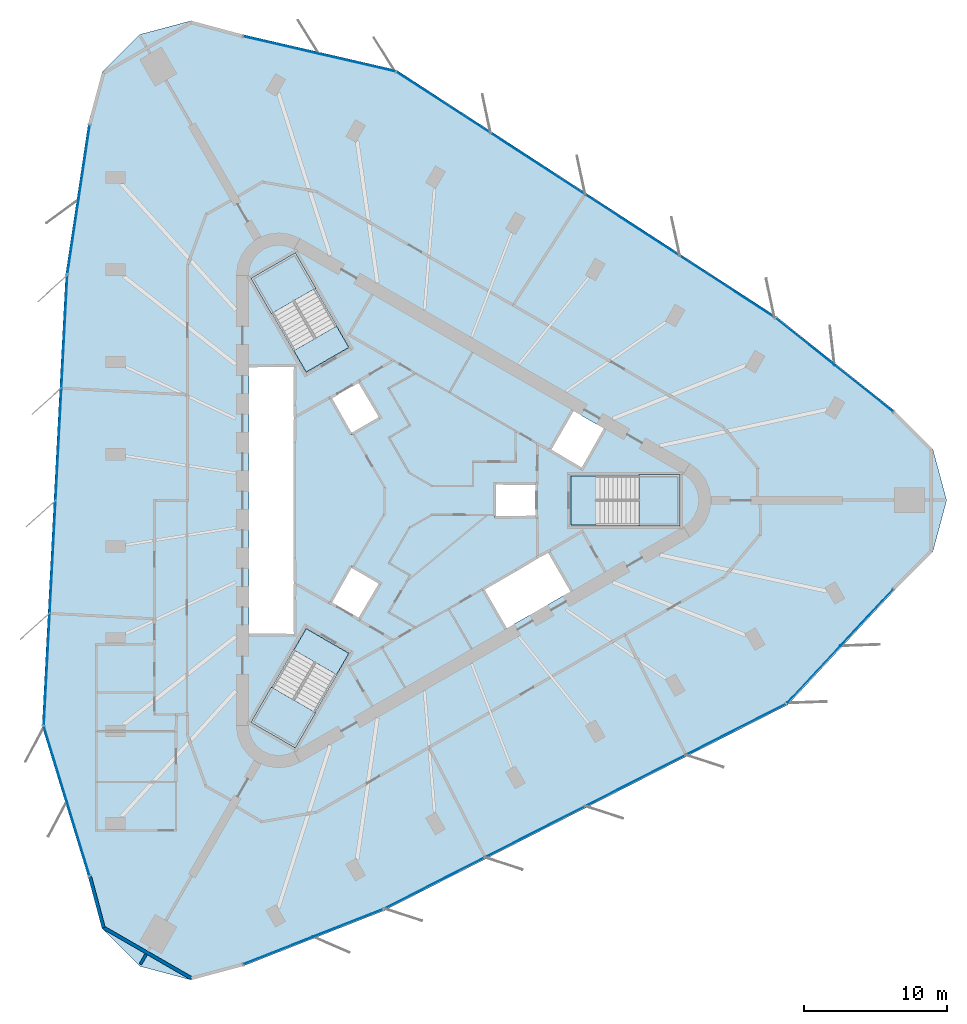
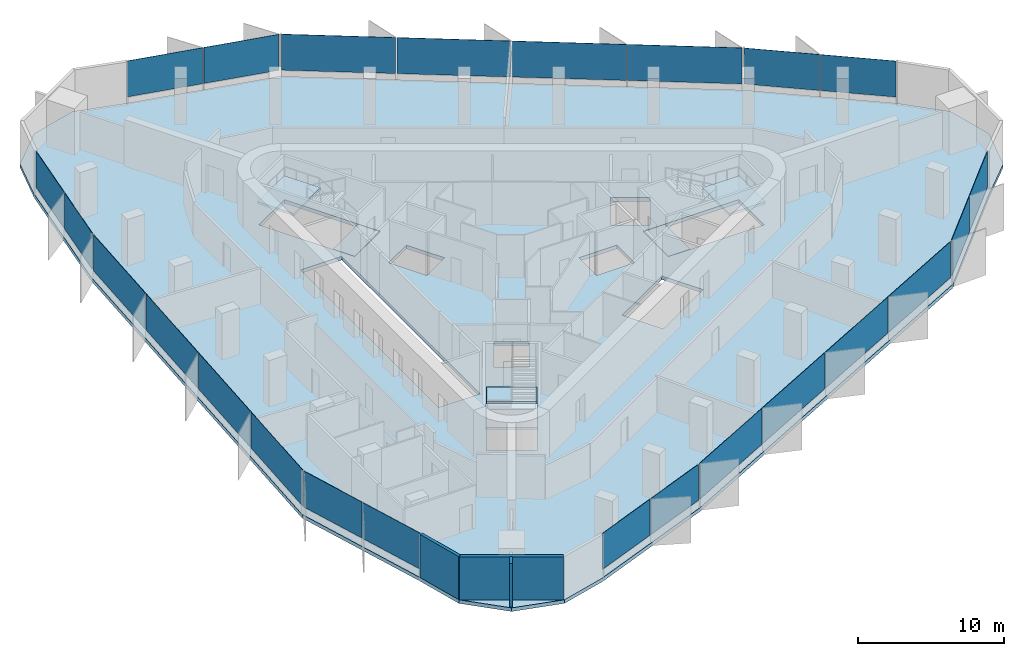
# One storey, part 7 of 13: 24 plates, 7 slabs, 3 walls, 12 elements without a shape of their own.
"""IFC4 building model written with IfcOpenShell, lengths in metres."""

from ifc_helpers import new_model, si_unit, direction, frame, frame_2d, origin, origin_2d, place, context, subcontext, project, spatial, polyline, rectangle, outline, extrude, material, layer, layer_set, type_object, element, aggregate, save


model = new_model("IFC4")

# Units and contexts
model_context = context("Model", 3, precision=1e-05, world=origin(), true_north=direction((0.0, 1.0)))
body_context = subcontext(model_context, "Body", "Model", "MODEL_VIEW")
ifc_project = project(units=[si_unit("LENGTHUNIT", "METRE"), si_unit("AREAUNIT", "SQUARE_METRE"), si_unit("VOLUMEUNIT", "CUBIC_METRE"), si_unit("PLANEANGLEUNIT", "RADIAN"), si_unit("MASSUNIT", "GRAM", prefix="KILO")], contexts=[model_context])

# Site, building, storey
site_placement = place(None, origin())
site = spatial("IfcSite", under=ifc_project, at=site_placement, CompositionType="ELEMENT")
building_placement = place(site_placement, origin())
building = spatial("IfcBuilding", under=site, at=building_placement, Name="Tanit Gate Tower", CompositionType="ELEMENT")
storey_placement = place(building_placement, frame((0.0, 0.0, 318.199951171875)))
storey = spatial("IfcBuildingStorey", under=building, at=storey_placement, Name="L71", CompositionType="ELEMENT", Elevation=318.199951171875)

# Slab
ifc_material_1 = material(Name="Concrete C35/45", Category="concrete")
ifc_layer_1 = layer(ifc_material_1, 0.300048828125)
ifc_layer_set_1 = layer_set([ifc_layer_1], Name="FLOOR SLAB 300 C35/45")
slab_type_1 = type_object("IfcSlabType", Name="FLOOR SLAB 300 C35/45", PredefinedType="FLOOR", material=ifc_layer_set_1)
slab_1_placement = place(storey_placement, frame((0.0, 0.0, -0.300048828125)))
element("IfcSlab", 1, at=slab_1_placement, inside=storey, type_object=slab_type_1, Name="FLOOR SLAB L71", PredefinedType="FLOOR", context=body_context, shape_type="SweptSolid", body=[
    extrude(outline(polyline([(34.07470703125, 6.24951171875), (36.716064453125, 3.608154296875), (37.682861328125, 0.0), (36.716064453125, -3.608154296875), (34.07470703125, -6.24951171875), (26.550048828125, -14.32421875), (-1.6943359375, -28.727294921875), (-11.625244140625, -32.63427734375), (-15.2333984375, -33.60107421875), (-18.84130859375, -32.63427734375), (-21.48291015625, -29.992919921875), (-22.44970703125, -26.385009765625), (-25.68017578125, -15.830810546875), (-24.031494140625, 15.830810546875), (-22.44970703125, 26.385009765625), (-21.48291015625, 29.992919921875), (-18.84130859375, 32.63427734375), (-15.2333984375, 33.60107421875), (-11.625244140625, 32.63427734375), (-0.869873046875, 30.1552734375), (25.7255859375, 12.896484375), (34.07470703125, 6.24951171875)]), holes=[polyline([(11.3701171875, 1.72998046875), (18.929931640625, 1.72998046875), (18.929931640625, -1.72998046875), (11.3701171875, -1.72998046875), (11.3701171875, 1.72998046875)]), polyline([(12.158935546875, 2.159912109375), (9.82080078125, 3.510009765625), (11.44580078125, 6.324462890625), (13.783935546875, 4.974609375), (12.158935546875, 2.159912109375)]), polyline([(11.44580078125, -6.324462890625), (6.76904296875, -9.0244140625), (5.14404296875, -6.2099609375), (9.82080078125, -3.510009765625), (11.44580078125, -6.324462890625)]), polyline([(6.0, 1.199951171875), (9.0, 1.199951171875), (9.0, -1.199951171875), (6.0, -1.199951171875), (6.0, 1.199951171875)]), polyline([(-4.039306640625, 4.59619140625), (-5.539306640625, 7.194091796875), (-3.460693359375, 8.394287109375), (-1.960693359375, 5.796142578125), (-4.039306640625, 4.59619140625)]), polyline([(-1.960693359375, -5.796142578125), (-3.460693359375, -8.394287109375), (-5.539306640625, -7.194091796875), (-4.039306640625, -4.59619140625), (-1.960693359375, -5.796142578125)]), polyline([(-7.18310546875, 8.981689453125), (-10.963134765625, 15.52880859375), (-7.966796875, 17.2587890625), (-4.186767578125, 10.711669921875), (-7.18310546875, 8.981689453125)]), polyline([(-4.186767578125, -10.711669921875), (-7.966796875, -17.2587890625), (-10.963134765625, -15.52880859375), (-7.18310546875, -8.981689453125), (-4.186767578125, -10.711669921875)]), polyline([(-11.199951171875, -9.449951171875), (-11.199951171875, 9.449951171875), (-7.949951171875, 9.449951171875), (-7.949951171875, -9.449951171875), (-11.199951171875, -9.449951171875)])]), origin(), (0.0, 0.0, 1.0), 0.300048828125),
])

# Curtain wall, plates
ifc_material_2 = material(Name="Aluminium bronze anodised and glass", Category="aluminium")
curtain_wall_type = type_object("IfcCurtainWallType", Name="Curtain wall typical high", PredefinedType="NOTDEFINED", material=ifc_material_2)
curtain_wall_1_placement = place(storey_placement, origin())
curtain_wall_1 = element("IfcCurtainWall", 2, at=curtain_wall_1_placement, inside=storey, type_object=curtain_wall_type, Name="Curtain wall L71 NE1", PredefinedType="NOTDEFINED")
ifc_material_3 = material(Name="Glass tinted", Category="glass")
ifc_layer_2 = layer(ifc_material_3, 0.028076171875)
ifc_layer_set_2 = layer_set([ifc_layer_2], Name="Glass panel 28 typical high")
plate_type = type_object("IfcPlateType", Name="Glass panel 28 typical high", PredefinedType="CURTAIN_PANEL", material=ifc_layer_set_2)
plate_1_placement = place(storey_placement, frame((31.894287109375, 7.83203125, 0.60009765625), z_axis=(0.0, 0.0, 1.0), x_axis=(-0.782343945966, 0.622846650637, 0.0)))
plate_1 = element("IfcPlate", 3, at=plate_1_placement, type_object=plate_type, Name="Glass panel L71 NE1.1", PredefinedType="CURTAIN_PANEL", context=body_context, shape_type="SweptSolid", body=[
    extrude(rectangle(XDim=5.209716796875, YDim=0.028076171875, at=origin_2d()), origin(), (0.0, 0.0, 1.0), 3.0),
])
plate_2_placement = place(storey_placement, frame((27.755859375, 11.126708984375, 0.60009765625), z_axis=(0.0, 0.0, 1.0), x_axis=(-0.782343945966, 0.622846650637, 0.0)))
plate_2 = element("IfcPlate", 4, at=plate_2_placement, type_object=plate_type, Name="Glass panel L71 NE1.2", PredefinedType="CURTAIN_PANEL", context=body_context, shape_type="SweptSolid", body=[
    extrude(rectangle(XDim=5.209716796875, YDim=0.028076171875, at=origin_2d()), origin(), (0.0, 0.0, 1.0), 3.0),
])
aggregate(curtain_wall_1, [plate_1, plate_2])

curtain_wall_2_placement = place(storey_placement, origin())
curtain_wall_2 = element("IfcCurtainWall", 5, at=curtain_wall_2_placement, inside=storey, type_object=curtain_wall_type, Name="Curtain wall L71 NE2", PredefinedType="NOTDEFINED")
plate_3_placement = place(storey_placement, frame((22.30859375, 14.970703125, 0.60009765625), z_axis=(0.0, 0.0, 1.0), x_axis=(-0.838852134807, 0.544359344487, 0.0)))
plate_3 = element("IfcPlate", 6, at=plate_3_placement, type_object=plate_type, Name="Glass panel L71 NE2.1", PredefinedType="CURTAIN_PANEL", context=body_context, shape_type="SweptSolid", body=[
    extrude(rectangle(XDim=7.819580078125, YDim=0.028076171875, at=origin_2d()), origin(), (0.0, 0.0, 1.0), 3.0),
])
plate_4_placement = place(storey_placement, frame((15.68212890625, 19.270751953125, 0.60009765625), z_axis=(0.0, 0.0, 1.0), x_axis=(-0.838852134807, 0.544359344487, 0.0)))
plate_4 = element("IfcPlate", 7, at=plate_4_placement, type_object=plate_type, Name="Glass panel L71 NE2.2", PredefinedType="CURTAIN_PANEL", context=body_context, shape_type="SweptSolid", body=[
    extrude(rectangle(XDim=7.8193359375, YDim=0.028076171875, at=origin_2d()), origin(), (0.0, 0.0, 1.0), 3.0),
])
plate_5_placement = place(storey_placement, frame((9.0556640625, 23.571044921875, 0.60009765625), z_axis=(0.0, 0.0, 1.0), x_axis=(-0.838852134807, 0.544359344487, 0.0)))
plate_5 = element("IfcPlate", 8, at=plate_5_placement, type_object=plate_type, Name="Glass panel L71 NE2.3", PredefinedType="CURTAIN_PANEL", context=body_context, shape_type="SweptSolid", body=[
    extrude(rectangle(XDim=7.819580078125, YDim=0.028076171875, at=origin_2d()), origin(), (0.0, 0.0, 1.0), 3.0),
])
plate_6_placement = place(storey_placement, frame((2.42919921875, 27.87109375, 0.60009765625), z_axis=(0.0, 0.0, 1.0), x_axis=(-0.838852134807, 0.544359344487, 0.0)))
plate_6 = element("IfcPlate", 9, at=plate_6_placement, type_object=plate_type, Name="Glass panel L71 NE2.4", PredefinedType="CURTAIN_PANEL", context=body_context, shape_type="SweptSolid", body=[
    extrude(rectangle(XDim=7.8193359375, YDim=0.028076171875, at=origin_2d()), origin(), (0.0, 0.0, 1.0), 3.0),
])
aggregate(curtain_wall_2, [plate_3, plate_4, plate_5, plate_6])

curtain_wall_3_placement = place(storey_placement, origin())
curtain_wall_3 = element("IfcCurtainWall", 10, at=curtain_wall_3_placement, inside=storey, type_object=curtain_wall_type, Name="Curtain wall L71 NE3", PredefinedType="NOTDEFINED")
plate_7_placement = place(storey_placement, frame((-3.62109375, 30.666259765625, 0.60009765625), z_axis=(0.0, 0.0, 1.0), x_axis=(-0.974447016701, 0.224617478487, 0.0)))
plate_7 = element("IfcPlate", 11, at=plate_7_placement, type_object=plate_type, Name="Glass panel L71 NE3.1", PredefinedType="CURTAIN_PANEL", context=body_context, shape_type="SweptSolid", body=[
    extrude(rectangle(XDim=5.38916015625, YDim=0.028076171875, at=origin_2d()), origin(), (0.0, 0.0, 1.0), 3.0),
])
plate_8_placement = place(storey_placement, frame((-8.95068359375, 31.894775390625, 0.60009765625), z_axis=(0.0, 0.0, 1.0), x_axis=(-0.974447016701, 0.224617478487, 0.0)))
plate_8 = element("IfcPlate", 12, at=plate_8_placement, type_object=plate_type, Name="Glass panel L71 NE3.2", PredefinedType="CURTAIN_PANEL", context=body_context, shape_type="SweptSolid", body=[
    extrude(rectangle(XDim=5.38916015625, YDim=0.028076171875, at=origin_2d()), origin(), (0.0, 0.0, 1.0), 3.0),
])
aggregate(curtain_wall_3, [plate_7, plate_8])

curtain_wall_4_placement = place(storey_placement, origin())
curtain_wall_4 = element("IfcCurtainWall", 13, at=curtain_wall_4_placement, inside=storey, type_object=curtain_wall_type, Name="Curtain wall L71 W1", PredefinedType="NOTDEFINED")
plate_9_placement = place(storey_placement, frame((-22.729736328125, 23.705322265625, 0.60009765625), z_axis=(0.0, 0.0, 1.0), x_axis=(-0.148229049131, -0.988953057022, 0.0)))
plate_9 = element("IfcPlate", 14, at=plate_9_placement, type_object=plate_type, Name="Glass panel L71 W1.1", PredefinedType="CURTAIN_PANEL", context=body_context, shape_type="SweptSolid", body=[
    extrude(rectangle(XDim=5.209716796875, YDim=0.028076171875, at=origin_2d()), origin(), (0.0, 0.0, 1.0), 3.0),
])
plate_10_placement = place(storey_placement, frame((-23.513916015625, 18.47412109375, 0.60009765625), z_axis=(0.0, 0.0, 1.0), x_axis=(-0.148229049131, -0.988953057022, 0.0)))
plate_10 = element("IfcPlate", 15, at=plate_10_placement, type_object=plate_type, Name="Glass panel L71 W1.2", PredefinedType="CURTAIN_PANEL", context=body_context, shape_type="SweptSolid", body=[
    extrude(rectangle(XDim=5.209716796875, YDim=0.028076171875, at=origin_2d()), origin(), (0.0, 0.0, 1.0), 3.0),
])
aggregate(curtain_wall_4, [plate_9, plate_10])

curtain_wall_5_placement = place(storey_placement, origin())
curtain_wall_5 = element("IfcCurtainWall", 16, at=curtain_wall_5_placement, inside=storey, type_object=curtain_wall_type, Name="Curtain wall L71 W2", PredefinedType="NOTDEFINED")
plate_11_placement = place(storey_placement, frame((-24.119384765625, 11.83447265625, 0.60009765625), z_axis=(0.0, 0.0, 1.0), x_axis=(-0.05200295371, -0.998646931005, 0.0)))
plate_11 = element("IfcPlate", 17, at=plate_11_placement, type_object=plate_type, Name="Glass panel L71 W2.1", PredefinedType="CURTAIN_PANEL", context=body_context, shape_type="SweptSolid", body=[
    extrude(rectangle(XDim=7.819580078125, YDim=0.028076171875, at=origin_2d()), origin(), (0.0, 0.0, 1.0), 3.0),
])
plate_12_placement = place(storey_placement, frame((-24.5302734375, 3.94580078125, 0.60009765625), z_axis=(0.0, 0.0, 1.0), x_axis=(-0.05200295371, -0.998646931005, 0.0)))
plate_12 = element("IfcPlate", 18, at=plate_12_placement, type_object=plate_type, Name="Glass panel L71 W2.2", PredefinedType="CURTAIN_PANEL", context=body_context, shape_type="SweptSolid", body=[
    extrude(rectangle(XDim=7.8193359375, YDim=0.028076171875, at=origin_2d()), origin(), (0.0, 0.0, 1.0), 3.0),
])
plate_13_placement = place(storey_placement, frame((-24.94091796875, -3.94287109375, 0.60009765625), z_axis=(0.0, 0.0, 1.0), x_axis=(-0.05200295371, -0.998646931005, 0.0)))
plate_13 = element("IfcPlate", 19, at=plate_13_placement, type_object=plate_type, Name="Glass panel L71 W2.3", PredefinedType="CURTAIN_PANEL", context=body_context, shape_type="SweptSolid", body=[
    extrude(rectangle(XDim=7.819580078125, YDim=0.028076171875, at=origin_2d()), origin(), (0.0, 0.0, 1.0), 3.0),
])
plate_14_placement = place(storey_placement, frame((-25.351806640625, -11.831787109375, 0.60009765625), z_axis=(0.0, 0.0, 1.0), x_axis=(-0.05200295371, -0.998646931005, 0.0)))
plate_14 = element("IfcPlate", 20, at=plate_14_placement, type_object=plate_type, Name="Glass panel L71 W2.4", PredefinedType="CURTAIN_PANEL", context=body_context, shape_type="SweptSolid", body=[
    extrude(rectangle(XDim=7.8193359375, YDim=0.028076171875, at=origin_2d()), origin(), (0.0, 0.0, 1.0), 3.0),
])
aggregate(curtain_wall_5, [plate_11, plate_12, plate_13, plate_14])

curtain_wall_6_placement = place(storey_placement, origin())
curtain_wall_6 = element("IfcCurtainWall", 21, at=curtain_wall_6_placement, inside=storey, type_object=curtain_wall_type, Name="Curtain wall L71 W3", PredefinedType="NOTDEFINED")
plate_15_placement = place(storey_placement, frame((-24.7470703125, -18.46923828125, 0.60009765625), z_axis=(0.0, 0.0, 1.0), x_axis=(0.292699065847, -0.956204610349, 0.0)))
plate_15 = element("IfcPlate", 22, at=plate_15_placement, type_object=plate_type, Name="Glass panel L71 W3.1", PredefinedType="CURTAIN_PANEL", context=body_context, shape_type="SweptSolid", body=[
    extrude(rectangle(XDim=5.38916015625, YDim=0.028076171875, at=origin_2d()), origin(), (0.0, 0.0, 1.0), 3.0),
])
plate_16_placement = place(storey_placement, frame((-23.146240234375, -23.69873046875, 0.60009765625), z_axis=(0.0, 0.0, 1.0), x_axis=(0.292699065847, -0.956204610349, 0.0)))
plate_16 = element("IfcPlate", 23, at=plate_16_placement, type_object=plate_type, Name="Glass panel L71 W3.2", PredefinedType="CURTAIN_PANEL", context=body_context, shape_type="SweptSolid", body=[
    extrude(rectangle(XDim=5.38916015625, YDim=0.028076171875, at=origin_2d()), origin(), (0.0, 0.0, 1.0), 3.0),
])
aggregate(curtain_wall_6, [plate_15, plate_16])

curtain_wall_7_placement = place(storey_placement, origin())
curtain_wall_7 = element("IfcCurtainWall", 24, at=curtain_wall_7_placement, inside=storey, type_object=curtain_wall_type, Name="Curtain wall L71 SE1", PredefinedType="NOTDEFINED")
plate_17_placement = place(storey_placement, frame((-9.16455078125, -31.537353515625, 0.60009765625), z_axis=(0.0, 0.0, 1.0), x_axis=(0.930572995097, 0.366106406385, 0.0)))
plate_17 = element("IfcPlate", 25, at=plate_17_placement, type_object=plate_type, Name="Glass panel L71 SE1.1", PredefinedType="CURTAIN_PANEL", context=body_context, shape_type="SweptSolid", body=[
    extrude(rectangle(XDim=5.209716796875, YDim=0.028076171875, at=origin_2d()), origin(), (0.0, 0.0, 1.0), 3.0),
])
plate_18_placement = place(storey_placement, frame((-4.241943359375, -29.6005859375, 0.60009765625), z_axis=(0.0, 0.0, 1.0), x_axis=(0.930572995097, 0.366106406385, 0.0)))
plate_18 = element("IfcPlate", 26, at=plate_18_placement, type_object=plate_type, Name="Glass panel L71 SE1.2", PredefinedType="CURTAIN_PANEL", context=body_context, shape_type="SweptSolid", body=[
    extrude(rectangle(XDim=5.209716796875, YDim=0.028076171875, at=origin_2d()), origin(), (0.0, 0.0, 1.0), 3.0),
])
aggregate(curtain_wall_7, [plate_17, plate_18])

curtain_wall_8_placement = place(storey_placement, origin())
curtain_wall_8 = element("IfcCurtainWall", 27, at=curtain_wall_8_placement, inside=storey, type_object=curtain_wall_type, Name="Curtain wall L71 SE2", PredefinedType="NOTDEFINED")
plate_19_placement = place(storey_placement, frame((1.810791015625, -26.80517578125, 0.60009765625), z_axis=(0.0, 0.0, 1.0), x_axis=(0.890855088516, 0.454287586518, 0.0)))
plate_19 = element("IfcPlate", 28, at=plate_19_placement, type_object=plate_type, Name="Glass panel L71 SE2.1", PredefinedType="CURTAIN_PANEL", context=body_context, shape_type="SweptSolid", body=[
    extrude(rectangle(XDim=7.819580078125, YDim=0.028076171875, at=origin_2d()), origin(), (0.0, 0.0, 1.0), 3.0),
])
plate_20_placement = place(storey_placement, frame((8.847900390625, -23.216552734375, 0.60009765625), z_axis=(0.0, 0.0, 1.0), x_axis=(0.890855088516, 0.454287586518, 0.0)))
plate_20 = element("IfcPlate", 29, at=plate_20_placement, type_object=plate_type, Name="Glass panel L71 SE2.2", PredefinedType="CURTAIN_PANEL", context=body_context, shape_type="SweptSolid", body=[
    extrude(rectangle(XDim=7.8193359375, YDim=0.028076171875, at=origin_2d()), origin(), (0.0, 0.0, 1.0), 3.0),
])
plate_21_placement = place(storey_placement, frame((15.88525390625, -19.6279296875, 0.60009765625), z_axis=(0.0, 0.0, 1.0), x_axis=(0.890855088516, 0.454287586518, 0.0)))
plate_21 = element("IfcPlate", 30, at=plate_21_placement, type_object=plate_type, Name="Glass panel L71 SE2.3", PredefinedType="CURTAIN_PANEL", context=body_context, shape_type="SweptSolid", body=[
    extrude(rectangle(XDim=7.819580078125, YDim=0.028076171875, at=origin_2d()), origin(), (0.0, 0.0, 1.0), 3.0),
])
plate_22_placement = place(storey_placement, frame((22.92236328125, -16.039306640625, 0.60009765625), z_axis=(0.0, 0.0, 1.0), x_axis=(0.890855088516, 0.454287586518, 0.0)))
plate_22 = element("IfcPlate", 31, at=plate_22_placement, type_object=plate_type, Name="Glass panel L71 SE2.4", PredefinedType="CURTAIN_PANEL", context=body_context, shape_type="SweptSolid", body=[
    extrude(rectangle(XDim=7.8193359375, YDim=0.028076171875, at=origin_2d()), origin(), (0.0, 0.0, 1.0), 3.0),
])
aggregate(curtain_wall_8, [plate_19, plate_20, plate_21, plate_22])

curtain_wall_9_placement = place(storey_placement, origin())
curtain_wall_9 = element("IfcCurtainWall", 32, at=curtain_wall_9_placement, inside=storey, type_object=curtain_wall_type, Name="Curtain wall L71 SE3", PredefinedType="NOTDEFINED")
plate_23_placement = place(storey_placement, frame((28.368408203125, -12.197021484375, 0.60009765625), z_axis=(0.0, 0.0, 1.0), x_axis=(0.681747950854, 0.731587131862, 0.0)))
plate_23 = element("IfcPlate", 33, at=plate_23_placement, type_object=plate_type, Name="Glass panel L71 SE3.1", PredefinedType="CURTAIN_PANEL", context=body_context, shape_type="SweptSolid", body=[
    extrude(rectangle(XDim=5.38916015625, YDim=0.028076171875, at=origin_2d()), origin(), (0.0, 0.0, 1.0), 3.0),
])
plate_24_placement = place(storey_placement, frame((32.096923828125, -8.19580078125, 0.60009765625), z_axis=(0.0, 0.0, 1.0), x_axis=(0.681747950854, 0.731587131862, 0.0)))
plate_24 = element("IfcPlate", 34, at=plate_24_placement, type_object=plate_type, Name="Glass panel L71 SE3.2", PredefinedType="CURTAIN_PANEL", context=body_context, shape_type="SweptSolid", body=[
    extrude(rectangle(XDim=5.38916015625, YDim=0.028076171875, at=origin_2d()), origin(), (0.0, 0.0, 1.0), 3.0),
])
aggregate(curtain_wall_9, [plate_23, plate_24])

# Stair, slab
ifc_material_4 = material(Name="Concrete C40/50", Category="concrete")
stair_type = type_object("IfcStairType", Name="INT-STAIR-EXIT", PredefinedType="HALF_TURN_STAIR", material=ifc_material_4)
stair_1_placement = place(storey_placement, origin())
stair_1 = element("IfcStair", 35, at=stair_1_placement, inside=storey, type_object=stair_type, Name="L71 STAIR S1", PredefinedType="HALF_TURN_STAIR")
ifc_material_5 = material(Name="Concrete C40/50", Category="concrete")
ifc_layer_3 = layer(ifc_material_5, 0.199951171875)
ifc_layer_set_3 = layer_set([ifc_layer_3], Name="INT-STAIR-LANDING")
slab_type_2 = type_object("IfcSlabType", Name="INT-STAIR-LANDING", PredefinedType="LANDING", material=ifc_layer_set_3)
slab_2_placement = place(storey_placement, frame((0.0, 0.0, 1.75)))
slab_2 = element("IfcSlab", 36, at=slab_2_placement, type_object=slab_type_2, Name="S1 landing 1", PredefinedType="LANDING", context=body_context, shape_type="SweptSolid", body=[
    extrude(outline(polyline([(16.135986328125, -1.800048828125), (19.0, -1.800048828125), (19.0, 1.800048828125), (16.135986328125, 1.800048828125), (16.135986328125, -1.800048828125)])), origin(), (0.0, 0.0, 1.0), 0.199951171875),
])
aggregate(stair_1, [slab_2])

# Slab
slab_3_placement = place(storey_placement, frame((0.0, 0.0, -0.199951171875)))
element("IfcSlab", 37, at=slab_3_placement, inside=storey, type_object=slab_type_2, Name="S1 floor landing", PredefinedType="LANDING", context=body_context, shape_type="SweptSolid", body=[
    extrude(outline(polyline([(11.3798828125, -1.719970703125), (13.10498046875, -1.719970703125), (13.10498046875, 1.719970703125), (11.3798828125, 1.719970703125), (11.3798828125, -1.719970703125)])), origin(), (0.0, 0.0, 1.0), 0.199951171875),
])

# Stair, slab
stair_2_placement = place(storey_placement, origin())
stair_2 = element("IfcStair", 38, at=stair_2_placement, inside=storey, type_object=stair_type, Name="L71 STAIR S2", PredefinedType="HALF_TURN_STAIR")
slab_4_placement = place(storey_placement, frame((0.0, 0.0, 1.75)))
slab_4 = element("IfcSlab", 39, at=slab_4_placement, type_object=slab_type_2, Name="S2 landing 1", PredefinedType="LANDING", context=body_context, shape_type="SweptSolid", body=[
    extrude(outline(polyline([(-6.5078125, 14.871826171875), (-7.941162109375, 17.3544921875), (-11.058837890625, 15.554443359375), (-9.62548828125, 13.07177734375), (-6.5078125, 14.871826171875)])), origin(), (0.0, 0.0, 1.0), 0.199951171875),
])
aggregate(stair_2, [slab_4])

# Slab
slab_5_placement = place(storey_placement, frame((0.0, 0.0, -0.199951171875)))
element("IfcSlab", 40, at=slab_5_placement, inside=storey, type_object=slab_type_2, Name="S2 floor landing", PredefinedType="LANDING", context=body_context, shape_type="SweptSolid", body=[
    extrude(outline(polyline([(-4.200439453125, 10.71533203125), (-5.0625, 12.20849609375), (-8.04150390625, 10.48828125), (-7.179443359375, 8.995361328125), (-4.200439453125, 10.71533203125)])), origin(), (0.0, 0.0, 1.0), 0.199951171875),
])

# Stair, slab
stair_3_placement = place(storey_placement, origin())
stair_3 = element("IfcStair", 41, at=stair_3_placement, inside=storey, type_object=stair_type, Name="L71 STAIR S3", PredefinedType="HALF_TURN_STAIR")
slab_6_placement = place(storey_placement, frame((0.0, 0.0, 1.75)))
slab_6 = element("IfcSlab", 42, at=slab_6_placement, type_object=slab_type_2, Name="S3 landing 1", PredefinedType="LANDING", context=body_context, shape_type="SweptSolid", body=[
    extrude(outline(polyline([(-9.626953125, -13.07421875), (-11.058837890625, -15.554443359375), (-7.941162109375, -17.3544921875), (-6.509033203125, -14.874267578125), (-9.626953125, -13.07421875)])), origin(), (0.0, 0.0, 1.0), 0.199951171875),
])
aggregate(stair_3, [slab_6])

# Slab
slab_7_placement = place(storey_placement, frame((0.0, 0.0, -0.199951171875)))
element("IfcSlab", 43, at=slab_7_placement, inside=storey, type_object=slab_type_2, Name="S3 floor landing", PredefinedType="LANDING", context=body_context, shape_type="SweptSolid", body=[
    extrude(outline(polyline([(-7.179443359375, -8.995361328125), (-8.0419921875, -10.4892578125), (-5.06298828125, -12.209228515625), (-4.200439453125, -10.71533203125), (-7.179443359375, -8.995361328125)])), origin(), (0.0, 0.0, 1.0), 0.199951171875),
])

# Walls
ifc_material_6 = material(Name="Concrete C30/37 with bronze anodised aluminium cladding", Category="concrete")
ifc_layer_4 = layer(ifc_material_6, 0.239990234375)
ifc_layer_set_4 = layer_set([ifc_layer_4], Name="Facade wall bronze clad 240")
wall_type_1 = type_object("IfcWallType", Name="Facade wall bronze clad 240", PredefinedType="SOLIDWALL", material=ifc_layer_set_4)
wall_1_placement = place(storey_placement, frame((-22.334228515625, -26.351806640625, 0.0), z_axis=(0.0, 0.0, 1.0), x_axis=(0.258810736071, -0.965928052649, 0.0)))
element("IfcWall", 44, at=wall_1_placement, inside=storey, type_object=wall_type_1, Name="Bronze-clad facade wall L71 SW.arc1", PredefinedType="SOLIDWALL", context=body_context, shape_type="SweptSolid", body=[
    extrude(rectangle(XDim=3.705322265625, YDim=0.239990234375, at=frame_2d((1.8525390625, 0.0))), origin(), (0.0, 0.0, 1.0), 3.60009765625),
])
wall_2_placement = place(storey_placement, frame((-21.375244140625, -29.930908203125, 0.0), z_axis=(0.0, 0.0, 1.0), x_axis=(0.866031377081, -0.499989653803, 0.0)))
element("IfcWall", 45, at=wall_2_placement, inside=storey, type_object=wall_type_1, Name="Bronze-clad facade wall L71 SW.arc2", PredefinedType="SOLIDWALL", context=body_context, shape_type="SweptSolid", body=[
    extrude(rectangle(XDim=7.092041015625, YDim=0.239990234375, at=frame_2d((3.5458984375, 0.0))), origin(), (0.0, 0.0, 1.0), 3.60009765625),
])
ifc_material_7 = material(Name="Fire-rated gypsum board partition")
ifc_layer_5 = layer(ifc_material_7, 0.199951171875)
ifc_layer_set_5 = layer_set([ifc_layer_5], Name="INT-WALL-COMPARTMENT")
wall_type_2 = type_object("IfcWallType", Name="INT-WALL-COMPARTMENT", PredefinedType="PARTITIONING", material=ifc_layer_set_5)
wall_3_placement = place(storey_placement, frame((-18.39013671875, -31.792724609375, 0.0), z_axis=(0.0, 0.0, 1.0), x_axis=(-0.499970888758, -0.866042210515, 0.0)))
element("IfcWall", 46, at=wall_3_placement, inside=storey, type_object=wall_type_2, Name="Wall Compartment W118x1", PredefinedType="PARTITIONING", context=body_context, shape_type="SweptSolid", body=[
    extrude(rectangle(XDim=0.822265625, YDim=0.199951171875, at=frame_2d((0.4111328125, 0.0))), origin(), (0.0, 0.0, 1.0), 3.60009765625),
])

save(model, "model.ifc")
